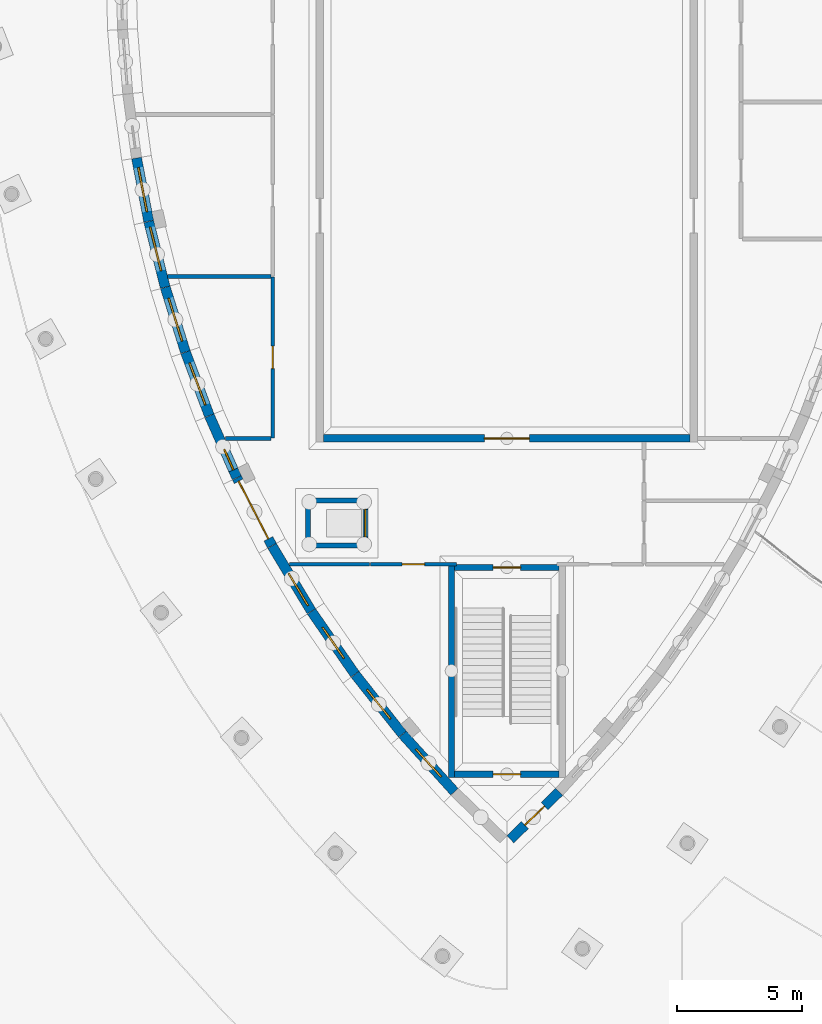
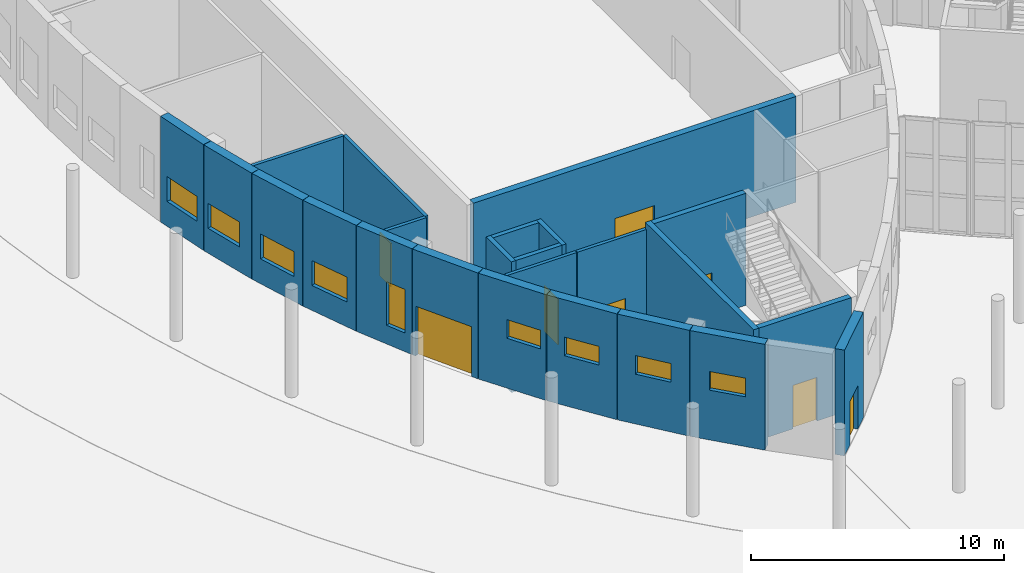
# One storey, part 41 of 82: 24 walls, 9 windows, 8 doors, 17 openings.
"""IFC4 building model written with IfcOpenShell, lengths in metres."""

import ifcopenshell
import ifcopenshell.guid

model = None  # the IFC model being written
_history = None  # IfcOwnerHistory: only IFC2X3 demands one
_inside = {}  # id of a spatial element -> (the spatial element, [elements in it])
_under = {}  # id of a project, library or spatial element -> (it, [spatial elements below it])
_declared = {}  # id of a project -> (the project, [libraries it declares])
_typed = {}  # id of a type object -> (the type object, [elements of that type])
_made_of = {}  # id of a material, layer set ... -> (it, [elements and type objects made of it])


def new_model(schema):
    """Start an empty IFC model of exactly this schema.

    Asked for "IFC4X3", IfcOpenShell would pick the latest addendum, in which some entities
    have other attributes; the version numbers below select the first issue.
    IFC2X3 requires an IfcOwnerHistory on every rooted entity: one is made here for all.
    """
    global model, _history
    if schema == "IFC4X3":
        model = ifcopenshell.file(schema_version=(4, 3, 0, 0))
    else:
        model = ifcopenshell.file(schema=schema)
    _inside.clear()
    _under.clear()
    _declared.clear()
    _typed.clear()
    _made_of.clear()
    _history = None
    if model.schema == "IFC2X3":
        org = make("IfcOrganization", Name="unknown")
        user = make(
            "IfcPersonAndOrganization",
            ThePerson=make("IfcPerson", FamilyName="unknown"),
            TheOrganization=org,
        )
        app = make(
            "IfcApplication",
            ApplicationDeveloper=org,
            Version="unknown",
            ApplicationFullName="unknown",
            ApplicationIdentifier="unknown",
        )
        _history = make(
            "IfcOwnerHistory",
            OwningUser=user,
            OwningApplication=app,
            ChangeAction="ADDED",
            CreationDate=0,
        )
    return model


def make(cls, **values):
    """One entity of the class cls with the attributes given. An attribute that is None is left unset."""
    return model.create_entity(
        cls, **{name: value for name, value in values.items() if value is not None}
    )


def rooted(cls, **values):
    """An entity with a GlobalId (a new one), such as an element, a storey or a relation."""
    return make(cls, GlobalId=ifcopenshell.guid.new(), OwnerHistory=_history, **values)


def si_unit(unit_type, name, prefix=None):
    """IfcSIUnit, for example si_unit("LENGTHUNIT", "METRE", prefix="MILLI")."""
    return make("IfcSIUnit", UnitType=unit_type, Prefix=prefix, Name=name)


def assignment(units):
    """IfcUnitAssignment: the units of a project."""
    return None if units is None else make("IfcUnitAssignment", Units=units)


def point(xyz):
    """IfcCartesianPoint."""
    return None if xyz is None else make("IfcCartesianPoint", Coordinates=xyz)


def direction(xyz):
    """IfcDirection."""
    return None if xyz is None else make("IfcDirection", DirectionRatios=xyz)


def frame(location, z_axis=None, x_axis=None):
    """IfcAxis2Placement3D, a coordinate frame: its origin and axes. An axis left out is left unset."""
    return make(
        "IfcAxis2Placement3D",
        Location=point(location),
        Axis=direction(z_axis),
        RefDirection=direction(x_axis),
    )


def frame_2d(location, x_axis=None):
    """IfcAxis2Placement2D, a coordinate frame in the plane: its origin and x axis."""
    return make(
        "IfcAxis2Placement2D", Location=point(location), RefDirection=direction(x_axis)
    )


def origin():
    """The frame at (0, 0, 0) with its axes left unset."""
    return frame((0.0, 0.0, 0.0))


def place(relative_to, where):
    """IfcLocalPlacement: puts the frame where relative to a parent placement (None: the world)."""
    return make(
        "IfcLocalPlacement", PlacementRelTo=relative_to, RelativePlacement=where
    )


def context(
    kind, dimensions, precision=None, world=None, true_north=None, identifier=None
):
    """IfcGeometricRepresentationContext, for example the 3D "Model" context."""
    return make(
        "IfcGeometricRepresentationContext",
        ContextIdentifier=identifier,
        ContextType=kind,
        CoordinateSpaceDimension=dimensions,
        Precision=precision,
        WorldCoordinateSystem=world,
        TrueNorth=true_north,
    )


def subcontext(parent, identifier, kind, view, scale=None):
    """IfcGeometricRepresentationSubContext, for example "Body" below "Model"."""
    return make(
        "IfcGeometricRepresentationSubContext",
        ContextIdentifier=identifier,
        ContextType=kind,
        ParentContext=parent,
        TargetScale=scale,
        TargetView=view,
    )


def project(units=None, contexts=None):
    """IfcProject with its units and contexts."""
    return rooted(
        "IfcProject",
        Name="project",
        RepresentationContexts=contexts,
        UnitsInContext=assignment(units),
    )


def spatial(cls, under=None, at=None, **own):
    """A site, building, storey or space (cls), placed at a placement, below another one or the project."""
    s = rooted(cls, ObjectPlacement=at, **own)
    if under is not None:
        _under.setdefault(under.id(), (under, []))[1].append(s)
    return s


def profile(cls, at=None, kind="AREA", **sizes):
    """A parametric profile (cls). Its sizes go by their IFC names, for example OverallWidth=200.0."""
    return make(cls, ProfileType=kind, Position=at, **sizes)


def rectangle(**sizes):
    """IfcRectangleProfileDef."""
    return profile("IfcRectangleProfileDef", **sizes)


def extrude(swept, where, along, depth):
    """IfcExtrudedAreaSolid: the profile swept, set in the frame where, extruded along a direction by depth."""
    return make(
        "IfcExtrudedAreaSolid",
        SweptArea=swept,
        Position=where,
        ExtrudedDirection=direction(along),
        Depth=depth,
    )


def shape(context_of_items, identifier, shape_type, items):
    """IfcShapeRepresentation: the items that make up one representation, for example the "Body"."""
    return make(
        "IfcShapeRepresentation",
        ContextOfItems=context_of_items,
        RepresentationIdentifier=identifier,
        RepresentationType=shape_type,
        Items=items,
    )


def material(Name=None, Category=None):
    """IfcMaterial."""
    return make("IfcMaterial", Name=Name, Category=Category)


def layer(
    of_material, thickness, ventilated=None, Name=None, Category=None, Priority=None
):
    """IfcMaterialLayer: one layer of a wall or slab, of a material (None: an air gap)."""
    return make(
        "IfcMaterialLayer",
        Material=of_material,
        LayerThickness=thickness,
        IsVentilated=ventilated,
        Name=Name,
        Category=Category,
        Priority=Priority,
    )


def layer_set(layers, Name=None):
    """IfcMaterialLayerSet."""
    return make("IfcMaterialLayerSet", MaterialLayers=layers, LayerSetName=Name)


def made_of(thing, what):
    """Note that an element or type object is made of a material, layer set ...; save() writes the relation."""
    if what is not None:
        _made_of.setdefault(what.id(), (what, []))[1].append(thing)
    return thing


def type_object(cls, material=None, **own):
    """A type object (cls), such as IfcWallType, which elements share."""
    return made_of(rooted(cls, **own), material)


def element(
    cls,
    number,
    at=None,
    inside=None,
    cuts=None,
    type_object=None,
    material=None,
    context=None,
    identifier="Body",
    shape_type=None,
    held_by="IfcProductDefinitionShape",
    body=None,
    shapes=None,
    **own,
):
    """One element of the class cls, such as IfcWall. Its Tag is "e" and its number.

    at: its placement. inside: the storey or other place that contains it. cuts: it is an
    opening in that element (IfcRelVoidsElement). A single representation is given by context,
    identifier, shape_type and body (its items); several are given by shapes. held_by: the class
    of the entity that holds the representations. save() writes the other relations.
    """
    e = rooted(cls, Tag="e%d" % number, ObjectPlacement=at, **own)
    if body is not None:
        shapes = [shape(context, identifier, shape_type, body)]
    if shapes is not None:
        e.Representation = make(held_by, Representations=shapes)
    if inside is not None:
        _inside.setdefault(inside.id(), (inside, []))[1].append(e)
    if cuts is not None:
        rooted(
            "IfcRelVoidsElement", RelatingBuildingElement=cuts, RelatedOpeningElement=e
        )
    if type_object is not None:
        _typed.setdefault(type_object.id(), (type_object, []))[1].append(e)
    return made_of(e, material)


def fill(opening, filler):
    """IfcRelFillsElement: the door or window that sits in an opening."""
    return rooted(
        "IfcRelFillsElement",
        RelatingOpeningElement=opening,
        RelatedBuildingElement=filler,
    )


def aggregate(whole, parts):
    """IfcRelAggregates: a whole, such as a stair, and the parts it consists of."""
    return rooted("IfcRelAggregates", RelatingObject=whole, RelatedObjects=parts)


def save(model, path):
    """Write the relations noted so far, then the file.

    IfcRelAggregates (storeys below a building ...), IfcRelContainedInSpatialStructure (elements
    in a storey), IfcRelDefinesByType, IfcRelAssociatesMaterial and IfcRelDeclares: one each for
    every whole, place, type object, material and project.
    """
    for whole, parts in _under.values():
        aggregate(whole, parts)
    for where, things in _inside.values():
        rooted(
            "IfcRelContainedInSpatialStructure",
            RelatedElements=things,
            RelatingStructure=where,
        )
    for kind, things in _typed.values():
        rooted("IfcRelDefinesByType", RelatedObjects=things, RelatingType=kind)
    for what, things in _made_of.values():
        rooted("IfcRelAssociatesMaterial", RelatedObjects=things, RelatingMaterial=what)
    for by, libraries in _declared.values():
        rooted("IfcRelDeclares", RelatingContext=by, RelatedDefinitions=libraries)
    model.write(path)


model = new_model("IFC4")

# Units and contexts
model_context = context("Model", 3, precision=1e-05, world=origin(), true_north=direction((0.0, 1.0)))
body_context = subcontext(model_context, "Body", "Model", "MODEL_VIEW")
ifc_project = project(units=[si_unit("LENGTHUNIT", "METRE"), si_unit("AREAUNIT", "SQUARE_METRE"), si_unit("VOLUMEUNIT", "CUBIC_METRE"), si_unit("PLANEANGLEUNIT", "RADIAN"), si_unit("MASSUNIT", "GRAM", prefix="KILO")], contexts=[model_context])

# Site, building, storey
site_placement = place(None, origin())
site = spatial("IfcSite", under=ifc_project, at=site_placement, CompositionType="ELEMENT")
building_placement = place(site_placement, origin())
building = spatial("IfcBuilding", under=site, at=building_placement, Name="Tide Square Theatres", CompositionType="ELEMENT")
storey_placement = place(building_placement, origin())
storey = spatial("IfcBuildingStorey", under=building, at=storey_placement, Name="L00", CompositionType="ELEMENT", Elevation=0.0)

# Wall, opening, door
ifc_material_1 = material(Name="Gypsum board on steel studs", Category="steel")
ifc_layer_1 = layer(ifc_material_1, 0.14990234375)
ifc_layer_set_1 = layer_set([ifc_layer_1], Name="Gypsum board on steel studs")
wall_type_1 = type_object("IfcWallType", Name="Partition 150 thick", PredefinedType="PARTITIONING", material=ifc_layer_set_1)
wall_1_placement = place(storey_placement, frame((26.60009765625, 25.52001953125, 0.0), z_axis=(0.0, 0.0, 1.0), x_axis=(0.0, 1.0, 0.0)))
wall_1 = element("IfcWall", 1, at=wall_1_placement, inside=storey, type_object=wall_type_1, Name="Studio Theatre partition", PredefinedType="PARTITIONING", context=body_context, shape_type="SweptSolid", body=[
    extrude(rectangle(XDim=6.4599609375, YDim=0.14990234375, at=frame_2d((3.22998046875, 0.0))), origin(), (0.0, 0.0, 1.0), 5.10009765625),
])
opening_1_placement = place(wall_1_placement, frame((2.780029296875, 0.0, 0.0)))
opening_1 = element("IfcOpeningElement", 2, at=opening_1_placement, cuts=wall_1, Name="Opening S00-13", PredefinedType="OPENING", context=body_context, shape_type="SweptSolid", body=[
    extrude(rectangle(XDim=0.89990234375, YDim=2.10009765625, at=frame_2d((0.449951171875, 1.050048828125))), frame((0.0, 0.0849609375, 0.0), z_axis=(0.0, -1.0, 0.0), x_axis=(1.0, 0.0, 0.0)), (0.0, 0.0, 1.0), 0.169921875),
])
ifc_material_2 = material(Name="Hardwood timber", Category="wood")
door_type_1 = type_object("IfcDoorType", Name="Door 900 x 2100 single leaf", OperationType="NOTDEFINED", PredefinedType="DOOR", material=ifc_material_2)
door_1_placement = place(opening_1_placement, origin())
door_1 = element("IfcDoor", 3, at=door_1_placement, inside=storey, type_object=door_type_1, Name="Dressing Room 01 door", OperationType="SINGLE_SWING_RIGHT", OverallHeight=2.10009765625, OverallWidth=0.89990234375, PredefinedType="DOOR", context=body_context, shape_type="SweptSolid", body=[
    extrude(rectangle(XDim=0.89990234375, YDim=2.10009765625, at=frame_2d((0.449951171875, 1.050048828125))), frame((0.0, 0.02490234375, 0.0), z_axis=(0.0, -1.0, 0.0), x_axis=(1.0, 0.0, 0.0)), (0.0, 0.0, 1.0), 0.050048828125),
])
fill(opening_1, door_1)

wall_2_placement = place(storey_placement, frame((33.97998046875, 20.449951171875, 0.0), z_axis=(0.0, 0.0, 1.0), x_axis=(-1.0, 0.0, 0.0)))
wall_2 = element("IfcWall", 4, at=wall_2_placement, inside=storey, type_object=wall_type_1, Name="Studio Theatre partition", PredefinedType="PARTITIONING", context=body_context, shape_type="SweptSolid", body=[
    extrude(rectangle(XDim=3.4599609375, YDim=0.14990234375, at=frame_2d((1.72998046875, 0.0))), origin(), (0.0, 0.0, 1.0), 5.10009765625),
])
opening_2_placement = place(wall_2_placement, frame((1.280029296875, 0.0, 0.0)))
opening_2 = element("IfcOpeningElement", 5, at=opening_2_placement, cuts=wall_2, Name="Opening S00-09", PredefinedType="OPENING", context=body_context, shape_type="SweptSolid", body=[
    extrude(rectangle(XDim=0.89990234375, YDim=2.10009765625, at=frame_2d((0.449951171875, 1.050048828125))), frame((0.0, 0.0849609375, 0.0), z_axis=(0.0, -1.0, 0.0), x_axis=(1.0, 0.0, 0.0)), (0.0, 0.0, 1.0), 0.169921875),
])
door_2_placement = place(opening_2_placement, origin())
door_2 = element("IfcDoor", 6, at=door_2_placement, inside=storey, type_object=door_type_1, Name="Seating Store door", OperationType="SINGLE_SWING_RIGHT", OverallHeight=2.10009765625, OverallWidth=0.89990234375, PredefinedType="DOOR", context=body_context, shape_type="SweptSolid", body=[
    extrude(rectangle(XDim=0.89990234375, YDim=2.10009765625, at=frame_2d((0.449951171875, 1.050048828125))), frame((0.0, 0.02490234375, 0.0), z_axis=(0.0, -1.0, 0.0), x_axis=(1.0, 0.0, 0.0)), (0.0, 0.0, 1.0), 0.050048828125),
])
fill(opening_2, door_2)

# Walls
wall_3_placement = place(storey_placement, frame((30.47998046875, 20.449951171875, 0.0), z_axis=(0.0, 0.0, 1.0), x_axis=(-1.0, 0.0, 0.0)))
element("IfcWall", 7, at=wall_3_placement, inside=storey, type_object=wall_type_1, Name="Studio Theatre partition", PredefinedType="PARTITIONING", context=body_context, shape_type="SweptSolid", body=[
    extrude(rectangle(XDim=3.19580078125, YDim=0.14990234375, at=frame_2d((1.597900390625, 0.0))), origin(), (0.0, 0.0, 1.0), 5.10009765625),
])
wall_4_placement = place(storey_placement, frame((24.703369140625, 25.5, 0.0), z_axis=(0.0, 0.0, 1.0), x_axis=(1.0, 0.0, 0.0)))
element("IfcWall", 8, at=wall_4_placement, inside=storey, type_object=wall_type_1, Name="Studio Theatre partition", PredefinedType="PARTITIONING", context=body_context, shape_type="SweptSolid", body=[
    extrude(rectangle(XDim=1.836669921875, YDim=0.14990234375, at=frame_2d((0.91845703125, 0.0))), origin(), (0.0, 0.0, 1.0), 5.10009765625),
])
wall_5_placement = place(storey_placement, frame((22.38720703125, 32.0, 0.0), z_axis=(0.0, 0.0, 1.0), x_axis=(1.0, 0.0, 0.0)))
element("IfcWall", 9, at=wall_5_placement, inside=storey, type_object=wall_type_1, Name="Studio Theatre partition", PredefinedType="PARTITIONING", context=body_context, shape_type="SweptSolid", body=[
    extrude(rectangle(XDim=4.15283203125, YDim=0.14990234375, at=frame_2d((2.076416015625, 0.0))), origin(), (0.0, 0.0, 1.0), 5.10009765625),
])

# Wall, opening, door
ifc_material_3 = material(Name="Concrete C40", Category="concrete")
ifc_layer_2 = layer(ifc_material_3, 0.39990234375)
ifc_layer_set_2 = layer_set([ifc_layer_2], Name="Concrete C40")
wall_type_2 = type_object("IfcWallType", Name="RC curved wall 400 thick", PredefinedType="SOLIDWALL", material=ifc_layer_set_2)
wall_6_placement = place(storey_placement, frame((36.139404296875, 9.414306640625, 0.0), z_axis=(0.0, 0.0, 1.0), x_axis=(0.717243568607, 0.696822547922, 0.0)))
wall_6 = element("IfcWall", 10, at=wall_6_placement, inside=storey, type_object=wall_type_2, Name="Studio Theatre perimeter wall", PredefinedType="SOLIDWALL", context=body_context, shape_type="SweptSolid", body=[
    extrude(rectangle(XDim=2.725830078125, YDim=0.39990234375, at=frame_2d((1.36279296875, 0.0))), origin(), (0.0, 0.0, 1.0), 5.10009765625),
])
opening_3_placement = place(wall_6_placement, frame((0.81298828125, 0.0, 0.0)))
opening_3 = element("IfcOpeningElement", 11, at=opening_3_placement, cuts=wall_6, Name="Opening S00-05", PredefinedType="OPENING", context=body_context, shape_type="SweptSolid", body=[
    extrude(rectangle(XDim=1.10009765625, YDim=2.10009765625, at=frame_2d((0.550048828125, 1.050048828125))), frame((0.0, 0.2099609375, 0.0), z_axis=(0.0, -1.0, 0.0), x_axis=(1.0, 0.0, 0.0)), (0.0, 0.0, 1.0), 0.419921875),
])
ifc_material_4 = material(Name="Painted steel", Category="steel")
door_type_2 = type_object("IfcDoorType", Name="Door 1100 x 2100 single leaf", OperationType="NOTDEFINED", PredefinedType="DOOR", material=ifc_material_4)
door_3_placement = place(opening_3_placement, frame((1.10009765625, 0.0, 0.0), z_axis=(0.0, 0.0, 1.0), x_axis=(-1.0, 0.0, 0.0)))
door_3 = element("IfcDoor", 12, at=door_3_placement, inside=storey, type_object=door_type_2, Name="Studio Theatre exit passage door 2", OperationType="SINGLE_SWING_RIGHT", OverallHeight=2.10009765625, OverallWidth=1.10009765625, PredefinedType="DOOR", context=body_context, shape_type="SweptSolid", body=[
    extrude(rectangle(XDim=1.10009765625, YDim=2.10009765625, at=frame_2d((0.550048828125, 1.050048828125))), frame((0.0, 0.02490234375, 0.0), z_axis=(0.0, -1.0, 0.0), x_axis=(1.0, 0.0, 0.0)), (0.0, 0.0, 1.0), 0.050048828125),
])
fill(opening_3, door_3)

# Wall, opening, window
wall_7_placement = place(storey_placement, frame((21.1396484375, 36.75048828125, 0.0), z_axis=(0.0, 0.0, 1.0), x_axis=(0.188763210152, -0.982022632373, 0.0)))
wall_7 = element("IfcWall", 13, at=wall_7_placement, inside=storey, type_object=wall_type_2, Name="Studio Theatre perimeter wall", PredefinedType="SOLIDWALL", context=body_context, shape_type="SweptSolid", body=[
    extrude(rectangle(XDim=2.58154296875, YDim=0.39990234375, at=frame_2d((1.290771484375, 0.0))), origin(), (0.0, 0.0, 1.0), 5.10009765625),
])
opening_4_placement = place(wall_7_placement, frame((0.390625, 0.0, 1.199951171875)))
opening_4 = element("IfcOpeningElement", 14, at=opening_4_placement, cuts=wall_7, Name="Opening WN-26", PredefinedType="OPENING", context=body_context, shape_type="SweptSolid", body=[
    extrude(rectangle(XDim=1.800048828125, YDim=1.199951171875, at=frame_2d((0.89990234375, 0.60009765625))), frame((0.0, 0.2099609375, 0.0), z_axis=(0.0, -1.0, 0.0), x_axis=(1.0, 0.0, 0.0)), (0.0, 0.0, 1.0), 0.419921875),
])
ifc_material_5 = material(Name="Aluminium with laminated glass", Category="aluminium")
window_type_1 = type_object("IfcWindowType", Name="Window 1800 x 1200", PartitioningType="DOUBLE_PANEL_VERTICAL", PredefinedType="WINDOW", material=ifc_material_5)
window_1_placement = place(opening_4_placement, origin())
window_1 = element("IfcWindow", 15, at=window_1_placement, inside=storey, type_object=window_type_1, Name="Studio Theatre Dressing Room 02 window", OverallHeight=1.199951171875, OverallWidth=1.800048828125, PartitioningType="SINGLE_PANEL", PredefinedType="WINDOW", context=body_context, shape_type="SweptSolid", body=[
    extrude(rectangle(XDim=1.800048828125, YDim=1.199951171875, at=frame_2d((0.89990234375, 0.60009765625))), frame((0.0, 0.030029296875, 0.0), z_axis=(0.0, -1.0, 0.0), x_axis=(1.0, 0.0, 0.0)), (0.0, 0.0, 1.0), 0.06005859375),
])
fill(opening_4, window_1)

wall_8_placement = place(storey_placement, frame((21.62939453125, 34.20458984375, 0.0), z_axis=(0.0, 0.0, 1.0), x_axis=(0.2430011368, -0.970026003525, 0.0)))
wall_8 = element("IfcWall", 16, at=wall_8_placement, inside=storey, type_object=wall_type_2, Name="Studio Theatre perimeter wall", PredefinedType="SOLIDWALL", context=body_context, shape_type="SweptSolid", body=[
    extrude(rectangle(XDim=2.714599609375, YDim=0.39990234375, at=frame_2d((1.357421875, 0.0))), origin(), (0.0, 0.0, 1.0), 5.10009765625),
])
opening_5_placement = place(wall_8_placement, frame((0.236328125, 0.0, 1.199951171875)))
opening_5 = element("IfcOpeningElement", 17, at=opening_5_placement, cuts=wall_8, Name="Opening WN-26", PredefinedType="OPENING", context=body_context, shape_type="SweptSolid", body=[
    extrude(rectangle(XDim=1.800048828125, YDim=1.199951171875, at=frame_2d((0.89990234375, 0.60009765625))), frame((0.0, 0.2099609375, 0.0), z_axis=(0.0, -1.0, 0.0), x_axis=(1.0, 0.0, 0.0)), (0.0, 0.0, 1.0), 0.419921875),
])
window_2_placement = place(opening_5_placement, origin())
window_2 = element("IfcWindow", 18, at=window_2_placement, inside=storey, type_object=window_type_1, Name="Studio Theatre Dressing Room 02 window", OverallHeight=1.199951171875, OverallWidth=1.800048828125, PartitioningType="SINGLE_PANEL", PredefinedType="WINDOW", context=body_context, shape_type="SweptSolid", body=[
    extrude(rectangle(XDim=1.800048828125, YDim=1.199951171875, at=frame_2d((0.89990234375, 0.60009765625))), frame((0.0, 0.030029296875, 0.0), z_axis=(0.0, -1.0, 0.0), x_axis=(1.0, 0.0, 0.0)), (0.0, 0.0, 1.0), 0.06005859375),
])
fill(opening_5, window_2)

wall_9_placement = place(storey_placement, frame((22.2919921875, 31.560302734375, 0.0), z_axis=(0.0, 0.0, 1.0), x_axis=(0.29795748067, -0.954579142718, 0.0)))
wall_9 = element("IfcWall", 19, at=wall_9_placement, inside=storey, type_object=wall_type_2, Name="Studio Theatre perimeter wall", PredefinedType="SOLIDWALL", context=body_context, shape_type="SweptSolid", body=[
    extrude(rectangle(XDim=2.714599609375, YDim=0.39990234375, at=frame_2d((1.357421875, 0.0))), origin(), (0.0, 0.0, 1.0), 5.10009765625),
])
opening_6_placement = place(wall_9_placement, frame((0.457275390625, 0.0, 1.199951171875)))
opening_6 = element("IfcOpeningElement", 20, at=opening_6_placement, cuts=wall_9, Name="Opening WN-26", PredefinedType="OPENING", context=body_context, shape_type="SweptSolid", body=[
    extrude(rectangle(XDim=1.800048828125, YDim=1.199951171875, at=frame_2d((0.89990234375, 0.60009765625))), frame((0.0, 0.2099609375, 0.0), z_axis=(0.0, -1.0, 0.0), x_axis=(1.0, 0.0, 0.0)), (0.0, 0.0, 1.0), 0.419921875),
])
window_3_placement = place(opening_6_placement, origin())
window_3 = element("IfcWindow", 21, at=window_3_placement, inside=storey, type_object=window_type_1, Name="Studio Theatre Dressing Room 01 window", OverallHeight=1.199951171875, OverallWidth=1.800048828125, PartitioningType="SINGLE_PANEL", PredefinedType="WINDOW", context=body_context, shape_type="SweptSolid", body=[
    extrude(rectangle(XDim=1.800048828125, YDim=1.199951171875, at=frame_2d((0.89990234375, 0.60009765625))), frame((0.0, 0.030029296875, 0.0), z_axis=(0.0, -1.0, 0.0), x_axis=(1.0, 0.0, 0.0)), (0.0, 0.0, 1.0), 0.06005859375),
])
fill(opening_6, window_3)

wall_10_placement = place(storey_placement, frame((23.1044921875, 28.958251953125, 0.0), z_axis=(0.0, 0.0, 1.0), x_axis=(0.351862601417, -0.936051659752, 0.0)))
wall_10 = element("IfcWall", 22, at=wall_10_placement, inside=storey, type_object=wall_type_2, Name="Studio Theatre perimeter wall", PredefinedType="SOLIDWALL", context=body_context, shape_type="SweptSolid", body=[
    extrude(rectangle(XDim=2.71435546875, YDim=0.39990234375, at=frame_2d((1.357177734375, 0.0))), origin(), (0.0, 0.0, 1.0), 5.10009765625),
])
opening_7_placement = place(wall_10_placement, frame((0.457275390625, 0.0, 1.199951171875)))
opening_7 = element("IfcOpeningElement", 23, at=opening_7_placement, cuts=wall_10, Name="Opening WN-26", PredefinedType="OPENING", context=body_context, shape_type="SweptSolid", body=[
    extrude(rectangle(XDim=1.800048828125, YDim=1.199951171875, at=frame_2d((0.89990234375, 0.60009765625))), frame((0.0, 0.2099609375, 0.0), z_axis=(0.0, -1.0, 0.0), x_axis=(1.0, 0.0, 0.0)), (0.0, 0.0, 1.0), 0.419921875),
])
window_4_placement = place(opening_7_placement, origin())
window_4 = element("IfcWindow", 24, at=window_4_placement, inside=storey, type_object=window_type_1, Name="Studio Theatre Dressing Room 01 window", OverallHeight=1.199951171875, OverallWidth=1.800048828125, PartitioningType="SINGLE_PANEL", PredefinedType="WINDOW", context=body_context, shape_type="SweptSolid", body=[
    extrude(rectangle(XDim=1.800048828125, YDim=1.199951171875, at=frame_2d((0.89990234375, 0.60009765625))), frame((0.0, 0.030029296875, 0.0), z_axis=(0.0, -1.0, 0.0), x_axis=(1.0, 0.0, 0.0)), (0.0, 0.0, 1.0), 0.06005859375),
])
fill(opening_7, window_4)

wall_11_placement = place(storey_placement, frame((24.06396484375, 26.406982421875, 0.0), z_axis=(0.0, 0.0, 1.0), x_axis=(0.404652153757, -0.914470685402, 0.0)))
wall_11 = element("IfcWall", 25, at=wall_11_placement, inside=storey, type_object=wall_type_2, Name="Studio Theatre perimeter wall", PredefinedType="SOLIDWALL", context=body_context, shape_type="SweptSolid", body=[
    extrude(rectangle(XDim=2.7138671875, YDim=0.39990234375, at=frame_2d((1.35693359375, 0.0))), origin(), (0.0, 0.0, 1.0), 5.10009765625),
])
opening_8_placement = place(wall_11_placement, frame((1.4716796875, 0.0, 0.89990234375)))
opening_8 = element("IfcOpeningElement", 26, at=opening_8_placement, cuts=wall_11, Name="Opening WN-10", PredefinedType="OPENING", context=body_context, shape_type="SweptSolid", body=[
    extrude(rectangle(XDim=0.89990234375, YDim=2.10009765625, at=frame_2d((0.449951171875, 1.050048828125))), frame((0.0, 0.2099609375, 0.0), z_axis=(0.0, -1.0, 0.0), x_axis=(1.0, 0.0, 0.0)), (0.0, 0.0, 1.0), 0.419921875),
])
ifc_material_6 = material(Name="Aluminium with laminated glass", Category="aluminium")
window_type_2 = type_object("IfcWindowType", Name="Window 900 x 2100", PartitioningType="SINGLE_PANEL", PredefinedType="WINDOW", material=ifc_material_6)
window_5_placement = place(opening_8_placement, origin())
window_5 = element("IfcWindow", 27, at=window_5_placement, inside=storey, type_object=window_type_2, Name="Studio Theatre Dressing Room 01 window", OverallHeight=2.10009765625, OverallWidth=0.89990234375, PartitioningType="SINGLE_PANEL", PredefinedType="WINDOW", context=body_context, shape_type="SweptSolid", body=[
    extrude(rectangle(XDim=0.89990234375, YDim=2.10009765625, at=frame_2d((0.449951171875, 1.050048828125))), frame((0.0, 0.030029296875, 0.0), z_axis=(0.0, -1.0, 0.0), x_axis=(1.0, 0.0, 0.0)), (0.0, 0.0, 1.0), 0.06005859375),
])
fill(opening_8, window_5)

# Wall, opening, door
wall_12_placement = place(storey_placement, frame((25.167236328125, 23.914306640625, 0.0), z_axis=(0.0, 0.0, 1.0), x_axis=(0.45930565039, -0.888278289457, 0.0)))
wall_12 = element("IfcWall", 28, at=wall_12_placement, inside=storey, type_object=wall_type_2, Name="Studio Theatre perimeter wall", PredefinedType="SOLIDWALL", context=body_context, shape_type="SweptSolid", body=[
    extrude(rectangle(XDim=3.05859375, YDim=0.39990234375, at=frame_2d((1.529296875, 0.0))), origin(), (0.0, 0.0, 1.0), 5.10009765625),
])
opening_9_placement = place(wall_12_placement, frame((0.14990234375, 0.0, 0.0)))
opening_9 = element("IfcOpeningElement", 29, at=opening_9_placement, cuts=wall_12, Name="Opening S00-01", PredefinedType="OPENING", context=body_context, shape_type="SweptSolid", body=[
    extrude(rectangle(XDim=2.60009765625, YDim=2.39990234375, at=frame_2d((1.300048828125, 1.199951171875))), frame((0.0, 0.2099609375, 0.0), z_axis=(0.0, -1.0, 0.0), x_axis=(1.0, 0.0, 0.0)), (0.0, 0.0, 1.0), 0.419921875),
])
ifc_material_7 = material(Name="Painted steel", Category="steel")
door_type_3 = type_object("IfcDoorType", Name="Door 2600 x 2400 double leaf", OperationType="DOUBLE_DOOR_SINGLE_SWING", PredefinedType="DOOR", material=ifc_material_7)
door_4_placement = place(opening_9_placement, frame((2.60009765625, 0.0, 0.0), z_axis=(0.0, 0.0, 1.0), x_axis=(-1.0, 0.0, 0.0)))
door_4 = element("IfcDoor", 30, at=door_4_placement, inside=storey, type_object=door_type_3, Name="Studio Theatre public entrance", OperationType="DOUBLE_DOOR_SINGLE_SWING", OverallHeight=2.39990234375, OverallWidth=2.60009765625, PredefinedType="DOOR", context=body_context, shape_type="SweptSolid", body=[
    extrude(rectangle(XDim=2.60009765625, YDim=2.39990234375, at=frame_2d((1.300048828125, 1.199951171875))), frame((0.0, 0.02490234375, 0.0), z_axis=(0.0, -1.0, 0.0), x_axis=(1.0, 0.0, 0.0)), (0.0, 0.0, 1.0), 0.050048828125),
])
fill(opening_9, door_4)

# Wall, opening, window
wall_13_placement = place(storey_placement, frame((26.578369140625, 21.186279296875, 0.0), z_axis=(0.0, 0.0, 1.0), x_axis=(0.515387841983, -0.856957042293, 0.0)))
wall_13 = element("IfcWall", 31, at=wall_13_placement, inside=storey, type_object=wall_type_2, Name="Studio Theatre perimeter wall", PredefinedType="SOLIDWALL", context=body_context, shape_type="SweptSolid", body=[
    extrude(rectangle(XDim=3.057861328125, YDim=0.39990234375, at=frame_2d((1.52880859375, 0.0))), origin(), (0.0, 0.0, 1.0), 5.10009765625),
])
opening_10_placement = place(wall_13_placement, frame((1.293701171875, 0.0, 2.39990234375)))
opening_10 = element("IfcOpeningElement", 32, at=opening_10_placement, cuts=wall_13, Name="Opening WN-04", PredefinedType="OPENING", context=body_context, shape_type="SweptSolid", body=[
    extrude(rectangle(XDim=1.5, YDim=0.89990234375, at=frame_2d((0.75, 0.449951171875))), frame((0.0, 0.2099609375, 0.0), z_axis=(0.0, -1.0, 0.0), x_axis=(1.0, 0.0, 0.0)), (0.0, 0.0, 1.0), 0.419921875),
])
ifc_material_8 = material(Name="Aluminium with laminated glass", Category="aluminium")
window_type_3 = type_object("IfcWindowType", Name="Window 1500 x 900", PartitioningType="SINGLE_PANEL", PredefinedType="WINDOW", material=ifc_material_8)
window_6_placement = place(opening_10_placement, origin())
window_6 = element("IfcWindow", 33, at=window_6_placement, inside=storey, type_object=window_type_3, Name="Studio Theatre Seating Store window", OverallHeight=0.89990234375, OverallWidth=1.5, PartitioningType="SINGLE_PANEL", PredefinedType="WINDOW", context=body_context, shape_type="SweptSolid", body=[
    extrude(rectangle(XDim=1.5, YDim=0.89990234375, at=frame_2d((0.75, 0.449951171875))), frame((0.0, 0.030029296875, 0.0), z_axis=(0.0, -1.0, 0.0), x_axis=(1.0, 0.0, 0.0)), (0.0, 0.0, 1.0), 0.06005859375),
])
fill(opening_10, window_6)

wall_14_placement = place(storey_placement, frame((28.161376953125, 18.55517578125, 0.0), z_axis=(0.0, 0.0, 1.0), x_axis=(0.569371892655, -0.822080073871, 0.0)))
wall_14 = element("IfcWall", 34, at=wall_14_placement, inside=storey, type_object=wall_type_2, Name="Studio Theatre perimeter wall", PredefinedType="SOLIDWALL", context=body_context, shape_type="SweptSolid", body=[
    extrude(rectangle(XDim=3.0576171875, YDim=0.39990234375, at=frame_2d((1.52880859375, 0.0))), origin(), (0.0, 0.0, 1.0), 5.10009765625),
])
opening_11_placement = place(wall_14_placement, frame((0.77880859375, 0.0, 2.39990234375)))
opening_11 = element("IfcOpeningElement", 35, at=opening_11_placement, cuts=wall_14, Name="Opening WN-04", PredefinedType="OPENING", context=body_context, shape_type="SweptSolid", body=[
    extrude(rectangle(XDim=1.5, YDim=0.89990234375, at=frame_2d((0.75, 0.449951171875))), frame((0.0, 0.2099609375, 0.0), z_axis=(0.0, -1.0, 0.0), x_axis=(1.0, 0.0, 0.0)), (0.0, 0.0, 1.0), 0.419921875),
])
window_7_placement = place(opening_11_placement, origin())
window_7 = element("IfcWindow", 36, at=window_7_placement, inside=storey, type_object=window_type_3, Name="Studio Theatre Seating Store window", OverallHeight=0.89990234375, OverallWidth=1.5, PartitioningType="SINGLE_PANEL", PredefinedType="WINDOW", context=body_context, shape_type="SweptSolid", body=[
    extrude(rectangle(XDim=1.5, YDim=0.89990234375, at=frame_2d((0.75, 0.449951171875))), frame((0.0, 0.030029296875, 0.0), z_axis=(0.0, -1.0, 0.0), x_axis=(1.0, 0.0, 0.0)), (0.0, 0.0, 1.0), 0.06005859375),
])
fill(opening_11, window_7)

wall_15_placement = place(storey_placement, frame((29.91015625, 16.031005859375, 0.0), z_axis=(0.0, 0.0, 1.0), x_axis=(0.620958553355, -0.783843399548, 0.0)))
wall_15 = element("IfcWall", 37, at=wall_15_placement, inside=storey, type_object=wall_type_2, Name="Studio Theatre perimeter wall", PredefinedType="SOLIDWALL", context=body_context, shape_type="SweptSolid", body=[
    extrude(rectangle(XDim=3.0576171875, YDim=0.39990234375, at=frame_2d((1.52880859375, 0.0))), origin(), (0.0, 0.0, 1.0), 5.10009765625),
])
opening_12_placement = place(wall_15_placement, frame((0.77880859375, 0.0, 2.39990234375)))
opening_12 = element("IfcOpeningElement", 38, at=opening_12_placement, cuts=wall_15, Name="Opening WN-04", PredefinedType="OPENING", context=body_context, shape_type="SweptSolid", body=[
    extrude(rectangle(XDim=1.5, YDim=0.89990234375, at=frame_2d((0.75, 0.449951171875))), frame((0.0, 0.2099609375, 0.0), z_axis=(0.0, -1.0, 0.0), x_axis=(1.0, 0.0, 0.0)), (0.0, 0.0, 1.0), 0.419921875),
])
window_8_placement = place(opening_12_placement, origin())
window_8 = element("IfcWindow", 39, at=window_8_placement, inside=storey, type_object=window_type_3, Name="Studio Theatre Seating Store window", OverallHeight=0.89990234375, OverallWidth=1.5, PartitioningType="SINGLE_PANEL", PredefinedType="WINDOW", context=body_context, shape_type="SweptSolid", body=[
    extrude(rectangle(XDim=1.5, YDim=0.89990234375, at=frame_2d((0.75, 0.449951171875))), frame((0.0, 0.030029296875, 0.0), z_axis=(0.0, -1.0, 0.0), x_axis=(1.0, 0.0, 0.0)), (0.0, 0.0, 1.0), 0.06005859375),
])
fill(opening_12, window_8)

wall_16_placement = place(storey_placement, frame((31.817138671875, 13.62451171875, 0.0), z_axis=(0.0, 0.0, 1.0), x_axis=(0.67038553216, -0.742012963681, 0.0)))
wall_16 = element("IfcWall", 40, at=wall_16_placement, inside=storey, type_object=wall_type_2, Name="Studio Theatre perimeter wall", PredefinedType="SOLIDWALL", context=body_context, shape_type="SweptSolid", body=[
    extrude(rectangle(XDim=3.101806640625, YDim=0.39990234375, at=frame_2d((1.55078125, 0.0))), origin(), (0.0, 0.0, 1.0), 5.10009765625),
])
opening_13_placement = place(wall_16_placement, frame((0.80078125, 0.0, 2.39990234375)))
opening_13 = element("IfcOpeningElement", 41, at=opening_13_placement, cuts=wall_16, Name="Opening WN-04", PredefinedType="OPENING", context=body_context, shape_type="SweptSolid", body=[
    extrude(rectangle(XDim=1.5, YDim=0.89990234375, at=frame_2d((0.75, 0.449951171875))), frame((0.0, 0.2099609375, 0.0), z_axis=(0.0, -1.0, 0.0), x_axis=(1.0, 0.0, 0.0)), (0.0, 0.0, 1.0), 0.419921875),
])
window_9_placement = place(opening_13_placement, origin())
window_9 = element("IfcWindow", 42, at=window_9_placement, inside=storey, type_object=window_type_3, Name="Studio Theatre Seating Store window", OverallHeight=0.89990234375, OverallWidth=1.5, PartitioningType="SINGLE_PANEL", PredefinedType="WINDOW", context=body_context, shape_type="SweptSolid", body=[
    extrude(rectangle(XDim=1.5, YDim=0.89990234375, at=frame_2d((0.75, 0.449951171875))), frame((0.0, 0.030029296875, 0.0), z_axis=(0.0, -1.0, 0.0), x_axis=(1.0, 0.0, 0.0)), (0.0, 0.0, 1.0), 0.06005859375),
])
fill(opening_13, window_9)

# Wall, opening, door
ifc_material_9 = material(Name="Concrete C40", Category="concrete")
ifc_layer_3 = layer(ifc_material_9, 0.199951171875)
ifc_layer_set_3 = layer_set([ifc_layer_3], Name="Concrete C40")
wall_type_3 = type_object("IfcWallType", Name="RC shear wall 200 thick", PredefinedType="SHEAR", material=ifc_layer_set_3)
wall_17_placement = place(storey_placement, frame((30.320068359375, 21.10009765625, -1.199951171875), z_axis=(0.0, 0.0, 1.0), x_axis=(0.0, 1.0, 0.0)))
wall_17 = element("IfcWall", 43, at=wall_17_placement, inside=storey, type_object=wall_type_3, Name="Studio Theatre lift shaft wall", PredefinedType="SHEAR", context=body_context, shape_type="SweptSolid", body=[
    extrude(rectangle(XDim=2.0, YDim=0.199951171875, at=frame_2d((1.0, 0.0))), origin(), (0.0, 0.0, 1.0), 6.300048828125),
])
opening_14_placement = place(wall_17_placement, frame((0.449951171875, 0.0, 1.199951171875)))
opening_14 = element("IfcOpeningElement", 44, at=opening_14_placement, cuts=wall_17, Name="Opening LD-S1-0", PredefinedType="OPENING", context=body_context, shape_type="SweptSolid", body=[
    extrude(rectangle(XDim=1.10009765625, YDim=2.199951171875, at=frame_2d((0.550048828125, 1.10009765625))), frame((0.0, 0.10986328125, 0.0), z_axis=(0.0, -1.0, 0.0), x_axis=(1.0, 0.0, 0.0)), (0.0, 0.0, 1.0), 0.219970703125),
])
ifc_material_10 = material(Name="Painted steel", Category="steel")
door_type_4 = type_object("IfcDoorType", Name="Door 1100 x 2200 sliding", OperationType="SLIDING_TO_LEFT", PredefinedType="DOOR", material=ifc_material_10)
door_5_placement = place(opening_14_placement, origin())
door_5 = element("IfcDoor", 45, at=door_5_placement, inside=storey, type_object=door_type_4, Name="Studio Theatre lift landing door L00", OperationType="SLIDING_TO_LEFT", OverallHeight=2.199951171875, OverallWidth=1.10009765625, PredefinedType="DOOR", context=body_context, shape_type="SweptSolid", body=[
    extrude(rectangle(XDim=1.10009765625, YDim=2.199951171875, at=frame_2d((0.550048828125, 1.10009765625))), frame((0.0, 0.02490234375, 0.0), z_axis=(0.0, -1.0, 0.0), x_axis=(1.0, 0.0, 0.0)), (0.0, 0.0, 1.0), 0.050048828125),
])
fill(opening_14, door_5)

# Walls
wall_18_placement = place(storey_placement, frame((28.02001953125, 23.10009765625, -1.199951171875), z_axis=(0.0, 0.0, 1.0), x_axis=(0.0, -1.0, 0.0)))
element("IfcWall", 46, at=wall_18_placement, inside=storey, type_object=wall_type_3, Name="Studio Theatre lift shaft wall", PredefinedType="SHEAR", context=body_context, shape_type="SweptSolid", body=[
    extrude(rectangle(XDim=2.0, YDim=0.199951171875, at=frame_2d((1.0, 0.0))), origin(), (0.0, 0.0, 1.0), 6.300048828125),
])
for number, where, z_axis, x_axis, name in (
    (47, (28.1201171875, 21.199951171875, -1.199951171875), (0.0, 0.0, 1.0), (1.0, 0.0, 0.0), "Studio Theatre lift shaft wall"),
    (48, (30.219970703125, 23.0, -1.199951171875), (0.0, 0.0, 1.0), (-1.0, 0.0, 0.0), "Studio Theatre lift shaft wall"),
):
    element("IfcWall", number, at=place(storey_placement, frame(where, z_axis=z_axis, x_axis=x_axis)), inside=storey, type_object=wall_type_3, Name=name, PredefinedType="SHEAR", context=body_context, shape_type="SweptSolid", body=[
        extrude(rectangle(XDim=2.099853515625, YDim=0.199951171875, at=frame_2d((1.0498046875, 0.0))), origin(), (0.0, 0.0, 1.0), 6.300048828125),
    ])
ifc_material_11 = material(Name="Concrete C40", Category="concrete")
ifc_layer_4 = layer(ifc_material_11, 0.25)
ifc_layer_set_4 = layer_set([ifc_layer_4], Name="Concrete C40")
wall_type_4 = type_object("IfcWallType", Name="RC shear wall 250 thick", PredefinedType="SHEAR", material=ifc_layer_set_4)
wall_19_placement = place(storey_placement, frame((33.77490234375, 20.449951171875, 0.0), z_axis=(0.0, 0.0, 1.0), x_axis=(0.0, -1.0, 0.0)))
element("IfcWall", 49, at=wall_19_placement, inside=storey, type_object=wall_type_4, Name="Studio Theatre Stair S2 shaft wall", PredefinedType="SHEAR", context=body_context, shape_type="SweptSolid", body=[
    extrude(rectangle(XDim=8.550048828125, YDim=0.25, at=frame_2d((4.27490234375, 0.0))), origin(), (0.0, 0.0, 1.0), 5.39990234375),
])

# Wall, opening, door
wall_20_placement = place(storey_placement, frame((38.10009765625, 12.02490234375, 0.0), z_axis=(0.0, 0.0, 1.0), x_axis=(-1.0, 0.0, 0.0)))
wall_20 = element("IfcWall", 50, at=wall_20_placement, inside=storey, type_object=wall_type_4, Name="Studio Theatre Stair S2 shaft wall", PredefinedType="SHEAR", context=body_context, shape_type="SweptSolid", body=[
    extrude(rectangle(XDim=4.2001953125, YDim=0.25, at=frame_2d((2.10009765625, 0.0))), origin(), (0.0, 0.0, 1.0), 5.39990234375),
])
opening_15_placement = place(wall_20_placement, frame((1.550048828125, 0.0, 0.0)))
opening_15 = element("IfcOpeningElement", 51, at=opening_15_placement, cuts=wall_20, Name="Opening S00-28", PredefinedType="OPENING", context=body_context, shape_type="SweptSolid", body=[
    extrude(rectangle(XDim=1.10009765625, YDim=2.10009765625, at=frame_2d((0.550048828125, 1.050048828125))), frame((0.0, 0.135009765625, 0.0), z_axis=(0.0, -1.0, 0.0), x_axis=(1.0, 0.0, 0.0)), (0.0, 0.0, 1.0), 0.27001953125),
])
door_6_placement = place(opening_15_placement, origin())
door_6 = element("IfcDoor", 52, at=door_6_placement, inside=storey, type_object=door_type_2, Name="Studio Theatre stair exit door", OperationType="SINGLE_SWING_RIGHT", OverallHeight=2.10009765625, OverallWidth=1.10009765625, PredefinedType="DOOR", context=body_context, shape_type="SweptSolid", body=[
    extrude(rectangle(XDim=1.10009765625, YDim=2.10009765625, at=frame_2d((0.550048828125, 1.050048828125))), frame((0.0, 0.02490234375, 0.0), z_axis=(0.0, -1.0, 0.0), x_axis=(1.0, 0.0, 0.0)), (0.0, 0.0, 1.0), 0.050048828125),
])
fill(opening_15, door_6)

wall_21_placement = place(storey_placement, frame((33.89990234375, 20.324951171875, 0.0), z_axis=(0.0, 0.0, 1.0), x_axis=(1.0, 0.0, 0.0)))
wall_21 = element("IfcWall", 53, at=wall_21_placement, inside=storey, type_object=wall_type_4, Name="Studio Theatre Stair S2 shaft wall", PredefinedType="SHEAR", context=body_context, shape_type="SweptSolid", body=[
    extrude(rectangle(XDim=4.2001953125, YDim=0.25, at=frame_2d((2.10009765625, 0.0))), origin(), (0.0, 0.0, 1.0), 5.39990234375),
])
opening_16_placement = place(wall_21_placement, frame((1.550048828125, 0.0, 0.0)))
opening_16 = element("IfcOpeningElement", 54, at=opening_16_placement, cuts=wall_21, Name="Opening S00-27", PredefinedType="OPENING", context=body_context, shape_type="SweptSolid", body=[
    extrude(rectangle(XDim=1.10009765625, YDim=2.10009765625, at=frame_2d((0.550048828125, 1.050048828125))), frame((0.0, 0.135009765625, 0.0), z_axis=(0.0, -1.0, 0.0), x_axis=(1.0, 0.0, 0.0)), (0.0, 0.0, 1.0), 0.27001953125),
])
door_7_placement = place(opening_16_placement, origin())
door_7 = element("IfcDoor", 55, at=door_7_placement, inside=storey, type_object=door_type_2, Name="Studio Theatre stair door", OperationType="SINGLE_SWING_RIGHT", OverallHeight=2.10009765625, OverallWidth=1.10009765625, PredefinedType="DOOR", context=body_context, shape_type="SweptSolid", body=[
    extrude(rectangle(XDim=1.10009765625, YDim=2.10009765625, at=frame_2d((0.550048828125, 1.050048828125))), frame((0.0, 0.02490234375, 0.0), z_axis=(0.0, -1.0, 0.0), x_axis=(1.0, 0.0, 0.0)), (0.0, 0.0, 1.0), 0.050048828125),
])
fill(opening_16, door_7)

ifc_material_12 = material(Name="Concrete C40", Category="concrete")
ifc_layer_5 = layer(ifc_material_12, 0.300048828125)
ifc_layer_set_5 = layer_set([ifc_layer_5], Name="Concrete C40")
wall_type_5 = type_object("IfcWallType", Name="RC shear wall 300 thick", PredefinedType="SHEAR", material=ifc_layer_set_5)
wall_22_placement = place(storey_placement, frame((43.35009765625, 25.5, 0.0), z_axis=(0.0, 0.0, 1.0), x_axis=(-1.0, 0.0, 0.0)))
wall_22 = element("IfcWall", 56, at=wall_22_placement, inside=storey, type_object=wall_type_5, Name="Studio Theatre auditorium wall", PredefinedType="SHEAR", context=body_context, shape_type="SweptSolid", body=[
    extrude(rectangle(XDim=14.7001953125, YDim=0.300048828125, at=frame_2d((7.35009765625, 0.0))), origin(), (0.0, 0.0, 1.0), 5.10009765625),
])
opening_17_placement = place(wall_22_placement, frame((6.449951171875, 0.0, 0.0)))
opening_17 = element("IfcOpeningElement", 57, at=opening_17_placement, cuts=wall_22, Name="Opening S00-29", PredefinedType="OPENING", context=body_context, shape_type="SweptSolid", body=[
    extrude(rectangle(XDim=1.800048828125, YDim=2.10009765625, at=frame_2d((0.89990234375, 1.050048828125))), frame((0.0, 0.159912109375, 0.0), z_axis=(0.0, -1.0, 0.0), x_axis=(1.0, 0.0, 0.0)), (0.0, 0.0, 1.0), 0.320068359375),
])
ifc_material_13 = material(Name="Hardwood timber", Category="wood")
door_type_5 = type_object("IfcDoorType", Name="Door 1800 x 2100 double leaf", OperationType="DOUBLE_DOOR_SINGLE_SWING", PredefinedType="DOOR", material=ifc_material_13)
door_8_placement = place(opening_17_placement, origin())
door_8 = element("IfcDoor", 58, at=door_8_placement, inside=storey, type_object=door_type_5, Name="Studio Theatre auditorium door", OperationType="DOUBLE_DOOR_SINGLE_SWING", OverallHeight=2.10009765625, OverallWidth=1.800048828125, PredefinedType="DOOR", context=body_context, shape_type="SweptSolid", body=[
    extrude(rectangle(XDim=1.800048828125, YDim=2.10009765625, at=frame_2d((0.89990234375, 1.050048828125))), frame((0.0, 0.02490234375, 0.0), z_axis=(0.0, -1.0, 0.0), x_axis=(1.0, 0.0, 0.0)), (0.0, 0.0, 1.0), 0.050048828125),
])
fill(opening_17, door_8)

save(model, "model.ifc")
